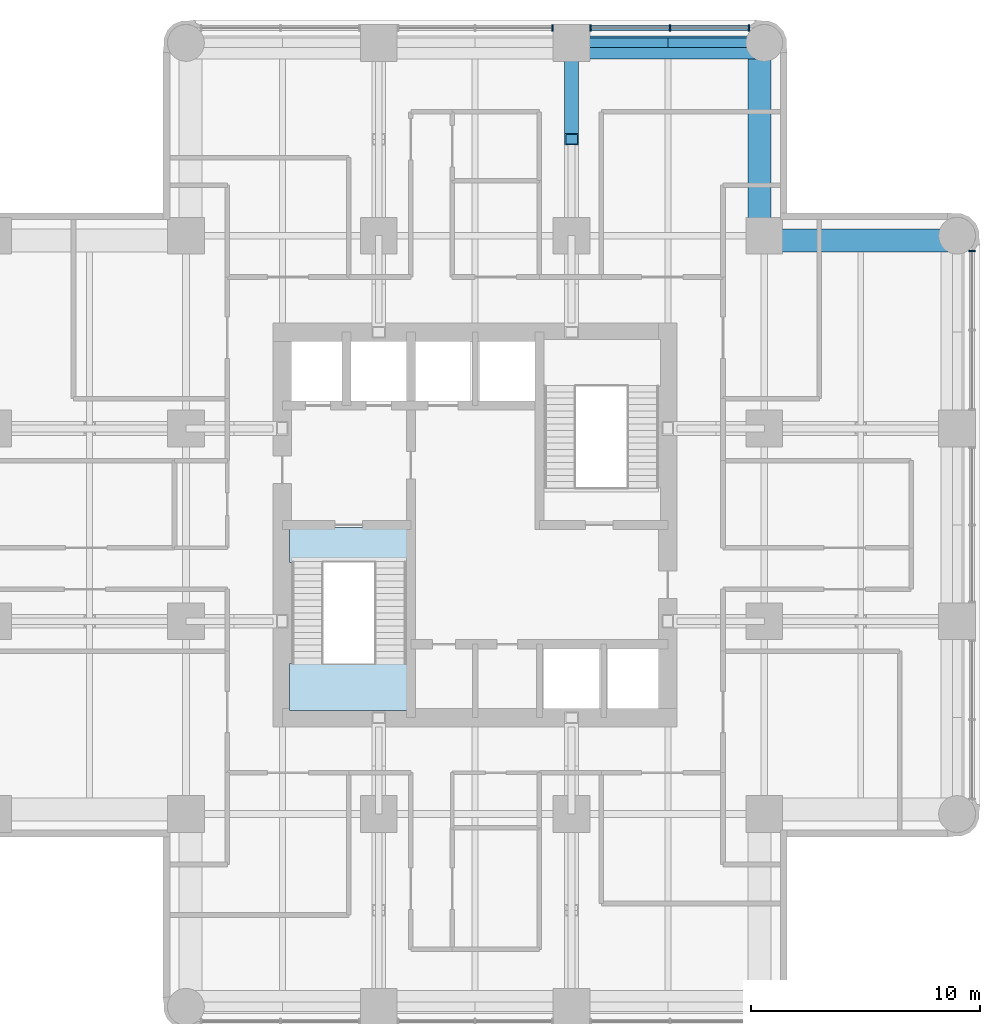
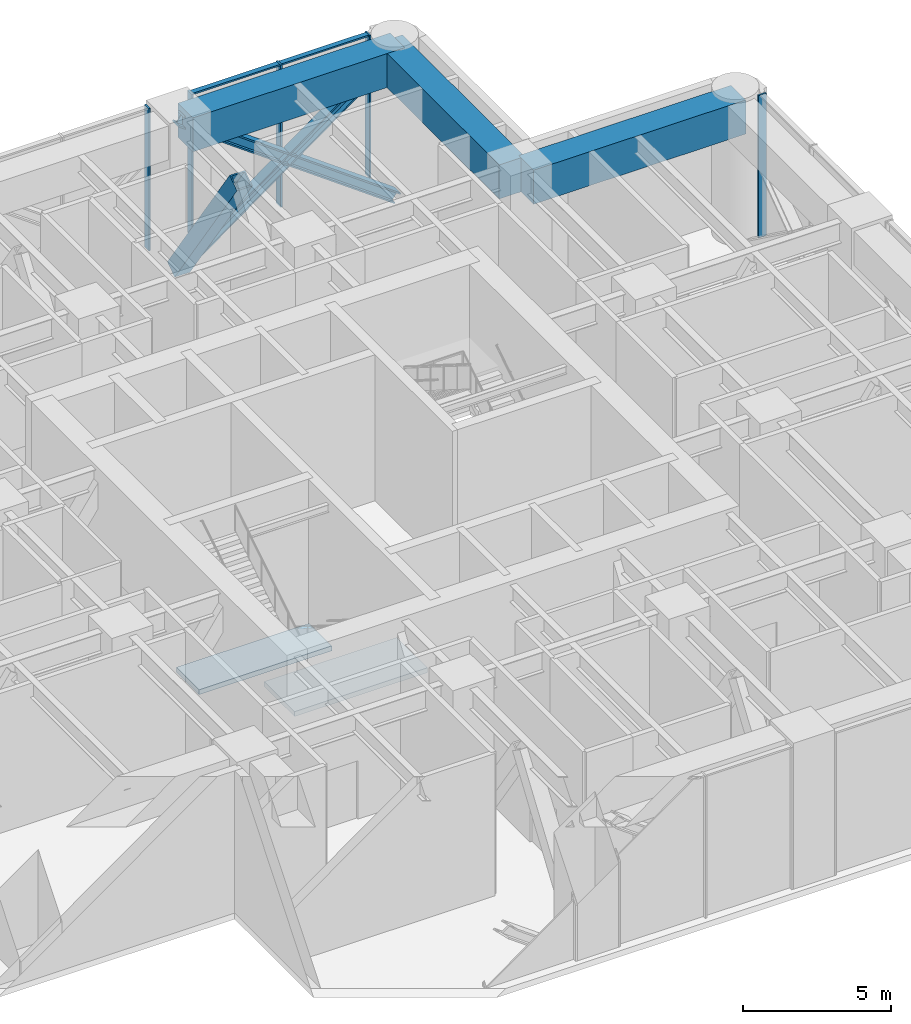
# One storey, part 6 of 12: 10 members, 3 beams, 2 slabs, 3 elements without a shape of their own.
"""IFC4 building model written with IfcOpenShell, lengths in metres."""

import ifcopenshell
import ifcopenshell.guid

model = None  # the IFC model being written
_history = None  # IfcOwnerHistory: only IFC2X3 demands one
_inside = {}  # id of a spatial element -> (the spatial element, [elements in it])
_under = {}  # id of a project, library or spatial element -> (it, [spatial elements below it])
_declared = {}  # id of a project -> (the project, [libraries it declares])
_typed = {}  # id of a type object -> (the type object, [elements of that type])
_made_of = {}  # id of a material, layer set ... -> (it, [elements and type objects made of it])


def new_model(schema):
    """Start an empty IFC model of exactly this schema.

    Asked for "IFC4X3", IfcOpenShell would pick the latest addendum, in which some entities
    have other attributes; the version numbers below select the first issue.
    IFC2X3 requires an IfcOwnerHistory on every rooted entity: one is made here for all.
    """
    global model, _history
    if schema == "IFC4X3":
        model = ifcopenshell.file(schema_version=(4, 3, 0, 0))
    else:
        model = ifcopenshell.file(schema=schema)
    _inside.clear()
    _under.clear()
    _declared.clear()
    _typed.clear()
    _made_of.clear()
    _history = None
    if model.schema == "IFC2X3":
        org = make("IfcOrganization", Name="unknown")
        user = make(
            "IfcPersonAndOrganization",
            ThePerson=make("IfcPerson", FamilyName="unknown"),
            TheOrganization=org,
        )
        app = make(
            "IfcApplication",
            ApplicationDeveloper=org,
            Version="unknown",
            ApplicationFullName="unknown",
            ApplicationIdentifier="unknown",
        )
        _history = make(
            "IfcOwnerHistory",
            OwningUser=user,
            OwningApplication=app,
            ChangeAction="ADDED",
            CreationDate=0,
        )
    return model


def make(cls, **values):
    """One entity of the class cls with the attributes given. An attribute that is None is left unset."""
    return model.create_entity(
        cls, **{name: value for name, value in values.items() if value is not None}
    )


def rooted(cls, **values):
    """An entity with a GlobalId (a new one), such as an element, a storey or a relation."""
    return make(cls, GlobalId=ifcopenshell.guid.new(), OwnerHistory=_history, **values)


def si_unit(unit_type, name, prefix=None):
    """IfcSIUnit, for example si_unit("LENGTHUNIT", "METRE", prefix="MILLI")."""
    return make("IfcSIUnit", UnitType=unit_type, Prefix=prefix, Name=name)


def assignment(units):
    """IfcUnitAssignment: the units of a project."""
    return None if units is None else make("IfcUnitAssignment", Units=units)


def point(xyz):
    """IfcCartesianPoint."""
    return None if xyz is None else make("IfcCartesianPoint", Coordinates=xyz)


def direction(xyz):
    """IfcDirection."""
    return None if xyz is None else make("IfcDirection", DirectionRatios=xyz)


def frame(location, z_axis=None, x_axis=None):
    """IfcAxis2Placement3D, a coordinate frame: its origin and axes. An axis left out is left unset."""
    return make(
        "IfcAxis2Placement3D",
        Location=point(location),
        Axis=direction(z_axis),
        RefDirection=direction(x_axis),
    )


def frame_2d(location, x_axis=None):
    """IfcAxis2Placement2D, a coordinate frame in the plane: its origin and x axis."""
    return make(
        "IfcAxis2Placement2D", Location=point(location), RefDirection=direction(x_axis)
    )


def origin():
    """The frame at (0, 0, 0) with its axes left unset."""
    return frame((0.0, 0.0, 0.0))


def origin_2d():
    """The frame at (0, 0) in the plane with its x axis left unset."""
    return frame_2d((0.0, 0.0))


def place(relative_to, where):
    """IfcLocalPlacement: puts the frame where relative to a parent placement (None: the world)."""
    return make(
        "IfcLocalPlacement", PlacementRelTo=relative_to, RelativePlacement=where
    )


def context(
    kind, dimensions, precision=None, world=None, true_north=None, identifier=None
):
    """IfcGeometricRepresentationContext, for example the 3D "Model" context."""
    return make(
        "IfcGeometricRepresentationContext",
        ContextIdentifier=identifier,
        ContextType=kind,
        CoordinateSpaceDimension=dimensions,
        Precision=precision,
        WorldCoordinateSystem=world,
        TrueNorth=true_north,
    )


def subcontext(parent, identifier, kind, view, scale=None):
    """IfcGeometricRepresentationSubContext, for example "Body" below "Model"."""
    return make(
        "IfcGeometricRepresentationSubContext",
        ContextIdentifier=identifier,
        ContextType=kind,
        ParentContext=parent,
        TargetScale=scale,
        TargetView=view,
    )


def project(units=None, contexts=None):
    """IfcProject with its units and contexts."""
    return rooted(
        "IfcProject",
        Name="project",
        RepresentationContexts=contexts,
        UnitsInContext=assignment(units),
    )


def spatial(cls, under=None, at=None, **own):
    """A site, building, storey or space (cls), placed at a placement, below another one or the project."""
    s = rooted(cls, ObjectPlacement=at, **own)
    if under is not None:
        _under.setdefault(under.id(), (under, []))[1].append(s)
    return s


def polyline(points):
    """IfcPolyline through the points."""
    return make("IfcPolyline", Points=[point(p) for p in points])


def profile(cls, at=None, kind="AREA", **sizes):
    """A parametric profile (cls). Its sizes go by their IFC names, for example OverallWidth=200.0."""
    return make(cls, ProfileType=kind, Position=at, **sizes)


def rectangle(**sizes):
    """IfcRectangleProfileDef."""
    return profile("IfcRectangleProfileDef", **sizes)


def hollow_rectangle(**sizes):
    """IfcRectangleHollowProfileDef."""
    return profile("IfcRectangleHollowProfileDef", **sizes)


def i_section(**sizes):
    """IfcIShapeProfileDef."""
    return profile("IfcIShapeProfileDef", **sizes)


def outline(outer, holes=None, kind="AREA"):
    """IfcArbitraryClosedProfileDef: a profile drawn as a closed curve; with holes, ...WithVoids."""
    if holes is None:
        return make("IfcArbitraryClosedProfileDef", ProfileType=kind, OuterCurve=outer)
    return make(
        "IfcArbitraryProfileDefWithVoids",
        ProfileType=kind,
        OuterCurve=outer,
        InnerCurves=holes,
    )


def extrude(swept, where, along, depth):
    """IfcExtrudedAreaSolid: the profile swept, set in the frame where, extruded along a direction by depth."""
    return make(
        "IfcExtrudedAreaSolid",
        SweptArea=swept,
        Position=where,
        ExtrudedDirection=direction(along),
        Depth=depth,
    )


def shape(context_of_items, identifier, shape_type, items):
    """IfcShapeRepresentation: the items that make up one representation, for example the "Body"."""
    return make(
        "IfcShapeRepresentation",
        ContextOfItems=context_of_items,
        RepresentationIdentifier=identifier,
        RepresentationType=shape_type,
        Items=items,
    )


def material(Name=None, Category=None):
    """IfcMaterial."""
    return make("IfcMaterial", Name=Name, Category=Category)


def layer(
    of_material, thickness, ventilated=None, Name=None, Category=None, Priority=None
):
    """IfcMaterialLayer: one layer of a wall or slab, of a material (None: an air gap)."""
    return make(
        "IfcMaterialLayer",
        Material=of_material,
        LayerThickness=thickness,
        IsVentilated=ventilated,
        Name=Name,
        Category=Category,
        Priority=Priority,
    )


def layer_set(layers, Name=None):
    """IfcMaterialLayerSet."""
    return make("IfcMaterialLayerSet", MaterialLayers=layers, LayerSetName=Name)


def material_profile(
    of_material, cross_section, Name=None, Category=None, Priority=None
):
    """IfcMaterialProfile: a cross section and its material."""
    return make(
        "IfcMaterialProfile",
        Name=Name,
        Material=of_material,
        Profile=cross_section,
        Priority=Priority,
        Category=Category,
    )


def profile_set(profiles, Name=None, composite=None):
    """IfcMaterialProfileSet."""
    return make(
        "IfcMaterialProfileSet",
        Name=Name,
        MaterialProfiles=profiles,
        CompositeProfile=composite,
    )


def made_of(thing, what):
    """Note that an element or type object is made of a material, layer set ...; save() writes the relation."""
    if what is not None:
        _made_of.setdefault(what.id(), (what, []))[1].append(thing)
    return thing


def type_object(cls, material=None, **own):
    """A type object (cls), such as IfcWallType, which elements share."""
    return made_of(rooted(cls, **own), material)


def element(
    cls,
    number,
    at=None,
    inside=None,
    cuts=None,
    type_object=None,
    material=None,
    context=None,
    identifier="Body",
    shape_type=None,
    held_by="IfcProductDefinitionShape",
    body=None,
    shapes=None,
    **own,
):
    """One element of the class cls, such as IfcWall. Its Tag is "e" and its number.

    at: its placement. inside: the storey or other place that contains it. cuts: it is an
    opening in that element (IfcRelVoidsElement). A single representation is given by context,
    identifier, shape_type and body (its items); several are given by shapes. held_by: the class
    of the entity that holds the representations. save() writes the other relations.
    """
    e = rooted(cls, Tag="e%d" % number, ObjectPlacement=at, **own)
    if body is not None:
        shapes = [shape(context, identifier, shape_type, body)]
    if shapes is not None:
        e.Representation = make(held_by, Representations=shapes)
    if inside is not None:
        _inside.setdefault(inside.id(), (inside, []))[1].append(e)
    if cuts is not None:
        rooted(
            "IfcRelVoidsElement", RelatingBuildingElement=cuts, RelatedOpeningElement=e
        )
    if type_object is not None:
        _typed.setdefault(type_object.id(), (type_object, []))[1].append(e)
    return made_of(e, material)


def aggregate(whole, parts):
    """IfcRelAggregates: a whole, such as a stair, and the parts it consists of."""
    return rooted("IfcRelAggregates", RelatingObject=whole, RelatedObjects=parts)


def save(model, path):
    """Write the relations noted so far, then the file.

    IfcRelAggregates (storeys below a building ...), IfcRelContainedInSpatialStructure (elements
    in a storey), IfcRelDefinesByType, IfcRelAssociatesMaterial and IfcRelDeclares: one each for
    every whole, place, type object, material and project.
    """
    for whole, parts in _under.values():
        aggregate(whole, parts)
    for where, things in _inside.values():
        rooted(
            "IfcRelContainedInSpatialStructure",
            RelatedElements=things,
            RelatingStructure=where,
        )
    for kind, things in _typed.values():
        rooted("IfcRelDefinesByType", RelatedObjects=things, RelatingType=kind)
    for what, things in _made_of.values():
        rooted("IfcRelAssociatesMaterial", RelatedObjects=things, RelatingMaterial=what)
    for by, libraries in _declared.values():
        rooted("IfcRelDeclares", RelatingContext=by, RelatedDefinitions=libraries)
    model.write(path)


model = new_model("IFC4")

# Units and contexts
model_context = context("Model", 3, precision=1e-05, world=origin(), true_north=direction((0.0, 1.0)))
body_context = subcontext(model_context, "Body", "Model", "MODEL_VIEW")
ifc_project = project(units=[si_unit("LENGTHUNIT", "METRE"), si_unit("AREAUNIT", "SQUARE_METRE"), si_unit("VOLUMEUNIT", "CUBIC_METRE"), si_unit("PLANEANGLEUNIT", "RADIAN"), si_unit("MASSUNIT", "GRAM", prefix="KILO")], contexts=[model_context])

# Site, building, storey
site_placement = place(None, origin())
site = spatial("IfcSite", under=ifc_project, at=site_placement, CompositionType="ELEMENT")
building_placement = place(site_placement, origin())
building = spatial("IfcBuilding", under=site, at=building_placement, Name="Torre Alcanfor", CompositionType="ELEMENT")
storey_placement = place(building_placement, frame((0.0, 0.0, 248.10009765625)))
storey = spatial("IfcBuildingStorey", under=building, at=storey_placement, Name="L65", CompositionType="ELEMENT", Elevation=248.10009765625)

# Members
ifc_material_1 = material(Name="Steel ASTM A992 Grade 50", Category="steel")
ifc_material_profile_1 = material_profile(ifc_material_1, i_section(OverallWidth=0.411376953125, OverallDepth=0.434326171875, WebThickness=0.035888671875, FlangeThickness=0.057373046875, at=origin_2d()), Name="W14x311")
ifc_profile_set_1 = profile_set([ifc_material_profile_1], Name="Steel ASTM A992 Grade 50")
member_type_1 = type_object("IfcMemberType", Name="Belt truss diagonal W14x311", PredefinedType="BRACE", material=ifc_profile_set_1)
for number, where, z_axis, x_axis, name in (
    (1, (33.60009765625, 50.39990234375, -0.650146484375), (0.809144712888, 0.0, 0.587609422665), (0.0, 1.0, 0.0), "Belt truss L65 N arm panel 3 diagonal A"),
    (2, (42.0, 50.39990234375, -0.650146484375), (-0.809144712888, 0.0, 0.587609422665), (0.0, -1.0, 0.0), "Belt truss L65 N arm panel 3 diagonal B"),
):
    element("IfcMember", number, at=place(storey_placement, frame(where, z_axis=z_axis, x_axis=x_axis)), inside=storey, type_object=member_type_1, Name=name, PredefinedType="BRACE", context=body_context, shape_type="SweptSolid", body=[
        extrude(i_section(OverallWidth=0.411376953125, OverallDepth=0.434326171875, WebThickness=0.035888671875, FlangeThickness=0.057373046875, at=origin_2d()), origin(), (0.0, 0.0, 1.0), 10.381103515625),
    ])

# Curtain wall, member
ifc_material_2 = material(Name="Aluminium and glass", Category="aluminium")
curtain_wall_type = type_object("IfcCurtainWallType", Name="CW-D plant floor louvre screen", PredefinedType="NOTDEFINED", material=ifc_material_2)
curtain_wall_1_placement = place(storey_placement, origin())
curtain_wall_1 = element("IfcCurtainWall", 3, at=curtain_wall_1_placement, inside=storey, type_object=curtain_wall_type, Name="Curtain wall CW-D L65 8", PredefinedType="NOTDEFINED")
ifc_material_3 = material(Name="Extruded aluminium", Category="aluminium")
ifc_material_profile_2 = material_profile(ifc_material_3, rectangle(XDim=0.300048828125, YDim=0.06494140625, at=origin_2d()), Name="CW-D mullion 65x300")
ifc_profile_set_2 = profile_set([ifc_material_profile_2], Name="Extruded aluminium")
member_type_2 = type_object("IfcMemberType", Name="CW-D mullion 65x300", PredefinedType="MULLION", material=ifc_profile_set_2)
member_1_placement = place(storey_placement, frame((51.050048828125, 41.336669921875, 0.0), z_axis=(0.0, 0.0, 1.0), x_axis=(-1.0, 0.0, 0.0)))
member_1 = element("IfcMember", 4, at=member_1_placement, type_object=member_type_2, Name="CW-D mullion 3.3", PredefinedType="MULLION", context=body_context, shape_type="SweptSolid", body=[
    extrude(rectangle(XDim=0.300048828125, YDim=0.06494140625, at=origin_2d()), origin(), (0.0, 0.0, 1.0), 5.849853515625),
])
aggregate(curtain_wall_1, [member_1])

# Curtain wall, members
curtain_wall_2_placement = place(storey_placement, origin())
curtain_wall_2 = element("IfcCurtainWall", 5, at=curtain_wall_2_placement, inside=storey, type_object=curtain_wall_type, Name="Curtain wall CW-D L65 11", PredefinedType="NOTDEFINED")
member_2_placement = place(storey_placement, frame((41.336669921875, 51.050048828125, 0.0), z_axis=(0.0, 0.0, 1.0), x_axis=(0.0, -1.0, 0.0)))
member_2 = element("IfcMember", 6, at=member_2_placement, type_object=member_type_2, Name="CW-D mullion 1.1", PredefinedType="MULLION", context=body_context, shape_type="SweptSolid", body=[
    extrude(rectangle(XDim=0.300048828125, YDim=0.06494140625, at=origin_2d()), origin(), (0.0, 0.0, 1.0), 5.849853515625),
])
member_3_placement = place(storey_placement, frame((37.88720703125, 51.050048828125, 0.0), z_axis=(0.0, 0.0, 1.0), x_axis=(0.0, -1.0, 0.0)))
member_3 = element("IfcMember", 7, at=member_3_placement, type_object=member_type_2, Name="CW-D mullion 1.2", PredefinedType="MULLION", context=body_context, shape_type="SweptSolid", body=[
    extrude(rectangle(XDim=0.300048828125, YDim=0.06494140625, at=origin_2d()), origin(), (0.0, 0.0, 1.0), 5.849853515625),
])
member_4_placement = place(storey_placement, frame((34.4375, 51.050048828125, 0.0), z_axis=(0.0, 0.0, 1.0), x_axis=(0.0, -1.0, 0.0)))
member_4 = element("IfcMember", 8, at=member_4_placement, type_object=member_type_2, Name="CW-D mullion 1.3", PredefinedType="MULLION", context=body_context, shape_type="SweptSolid", body=[
    extrude(rectangle(XDim=0.300048828125, YDim=0.06494140625, at=origin_2d()), origin(), (0.0, 0.0, 1.0), 5.849853515625),
])
member_5_placement = place(storey_placement, frame((32.762451171875, 51.050048828125, 0.0), z_axis=(0.0, 0.0, 1.0), x_axis=(0.0, -1.0, 0.0)))
member_5 = element("IfcMember", 9, at=member_5_placement, type_object=member_type_2, Name="CW-D mullion 2.1", PredefinedType="MULLION", context=body_context, shape_type="SweptSolid", body=[
    extrude(rectangle(XDim=0.300048828125, YDim=0.06494140625, at=origin_2d()), origin(), (0.0, 0.0, 1.0), 5.849853515625),
])
ifc_material_4 = material(Name="Extruded aluminium", Category="aluminium")
ifc_material_profile_3 = material_profile(ifc_material_4, rectangle(XDim=0.199951171875, YDim=0.06494140625, at=origin_2d()), Name="CW-D transom 200x65")
ifc_profile_set_3 = profile_set([ifc_material_profile_3], Name="Extruded aluminium")
member_type_3 = type_object("IfcMemberType", Name="CW-D transom 65x200", PredefinedType="USERDEFINED", material=ifc_profile_set_3)
member_6_placement = place(storey_placement, frame((41.30419921875, 51.050048828125, 5.8173828125), z_axis=(-1.0, 0.0, 0.0), x_axis=(0.0, -1.0, 0.0)))
member_6 = element("IfcMember", 10, at=member_6_placement, type_object=member_type_3, Name="CW-D transom 1.1.2", ObjectType="TRANSOM", PredefinedType="USERDEFINED", context=body_context, shape_type="SweptSolid", body=[
    extrude(rectangle(XDim=0.199951171875, YDim=0.06494140625, at=origin_2d()), origin(), (0.0, 0.0, 1.0), 3.384521484375),
])
member_7_placement = place(storey_placement, frame((37.8544921875, 51.050048828125, 5.8173828125), z_axis=(-1.0, 0.0, 0.0), x_axis=(0.0, -1.0, 0.0)))
member_7 = element("IfcMember", 11, at=member_7_placement, type_object=member_type_3, Name="CW-D transom 1.2.2", ObjectType="TRANSOM", PredefinedType="USERDEFINED", context=body_context, shape_type="SweptSolid", body=[
    extrude(rectangle(XDim=0.199951171875, YDim=0.06494140625, at=origin_2d()), origin(), (0.0, 0.0, 1.0), 3.384521484375),
])
aggregate(curtain_wall_2, [member_2, member_3, member_4, member_6, member_7, member_5])

# Member
ifc_material_5 = material(Name="Steel ASTM A572 Grade 50 plate", Category="steel")
ifc_material_profile_4 = material_profile(ifc_material_5, hollow_rectangle(XDim=0.60009765625, YDim=0.60009765625, WallThickness=0.050048828125, at=origin_2d()), Name="BOX 600x600x50")
ifc_profile_set_4 = profile_set([ifc_material_profile_4], Name="Steel ASTM A572 Grade 50 plate")
member_type_4 = type_object("IfcMemberType", Name="Outrigger truss diagonal BOx600x600x50", PredefinedType="BRACE", material=ifc_profile_set_4)
member_8_placement = place(storey_placement, frame((33.60009765625, 50.39990234375, -0.650146484375), z_axis=(0.0, -0.567091101321, 0.823655075139), x_axis=(1.0, 0.0, 0.0)))
element("IfcMember", 12, at=member_8_placement, inside=storey, type_object=member_type_4, Name="Outrigger truss L65 N arm grid 33.6 panel 2 diagonal B", PredefinedType="BRACE", context=body_context, shape_type="SweptSolid", body=[
    extrude(hollow_rectangle(XDim=0.60009765625, YDim=0.60009765625, WallThickness=0.050048828125, at=origin_2d()), origin(), (0.0, 0.0, 1.0), 7.40625),
])

# Beams
ifc_material_6 = material(Name="Concrete f'c 70 MPa", Category="concrete")
ifc_material_profile_5 = material_profile(ifc_material_6, rectangle(XDim=1.0, YDim=1.39990234375, at=origin_2d()), Name="1000x1400")
ifc_profile_set_5 = profile_set([ifc_material_profile_5], Name="Concrete f'c 70 MPa")
beam_type = type_object("IfcBeamType", Name="RC perimeter beam 1000x1400", PredefinedType="BEAM", material=ifc_profile_set_5)
for number, where, z_axis, x_axis, name in (
    (13, (42.14599609375, 41.800048828125, 5.14990234375), (1.0, 0.0, 0.0), (0.0, 1.0, 0.0), "Beam 6H-7H under L66"),
    (14, (33.74609375, 50.199951171875, 5.14990234375), (1.0, 0.0, 0.0), (0.0, 1.0, 0.0), "Beam 5J-6J under L66"),
    (15, (41.800048828125, 42.14599609375, 5.14990234375), (0.0, 1.0, 0.0), (-1.0, 0.0, 0.0), "Beam 6H-6J under L66"),
):
    element("IfcBeam", number, at=place(storey_placement, frame(where, z_axis=z_axis, x_axis=x_axis)), inside=storey, type_object=beam_type, Name=name, PredefinedType="BEAM", context=body_context, shape_type="SweptSolid", body=[
        extrude(rectangle(XDim=1.0, YDim=1.39990234375, at=origin_2d()), origin(), (0.0, 0.0, 1.0), 8.25390625),
    ])

# Stair, slabs
ifc_material_7 = material(Name="Concrete f'c 35 MPa", Category="concrete")
stair_type = type_object("IfcStairType", Name="Exit stair S1 1400 wide", PredefinedType="HALF_TURN_STAIR", material=ifc_material_7)
stair_placement = place(storey_placement, origin())
stair = element("IfcStair", 16, at=stair_placement, inside=storey, type_object=stair_type, Name="Stair S1 L65 to L66", PredefinedType="HALF_TURN_STAIR")
ifc_material_8 = material(Name="Concrete f'c 35 MPa", Category="concrete")
ifc_layer = layer(ifc_material_8, 0.199951171875)
ifc_layer_set = layer_set([ifc_layer], Name="Stair landing 200")
slab_type = type_object("IfcSlabType", Name="Stair landing 200", PredefinedType="LANDING", material=ifc_layer_set)
slab_1_placement = place(storey_placement, frame((0.0, 0.0, -0.2001953125)))
slab_1 = element("IfcSlab", 17, at=slab_1_placement, type_object=slab_type, Name="S1 landing 1", PredefinedType="LANDING", context=body_context, shape_type="SweptSolid", body=[
    extrude(outline(polyline([(21.320068359375, 27.75), (26.47998046875, 27.75), (26.47998046875, 29.280029296875), (21.320068359375, 29.280029296875), (21.320068359375, 27.75)])), origin(), (0.0, 0.0, 1.0), 0.2001953125),
])
slab_2_placement = place(storey_placement, frame((0.0, 0.0, 2.7998046875)))
slab_2 = element("IfcSlab", 18, at=slab_2_placement, type_object=slab_type, Name="S1 landing 2", PredefinedType="LANDING", context=body_context, shape_type="SweptSolid", body=[
    extrude(outline(polyline([(21.320068359375, 21.320068359375), (26.47998046875, 21.320068359375), (26.47998046875, 23.3701171875), (21.320068359375, 23.3701171875), (21.320068359375, 21.320068359375)])), origin(), (0.0, 0.0, 1.0), 0.2001953125),
])
aggregate(stair, [slab_1, slab_2])

save(model, "model.ifc")
